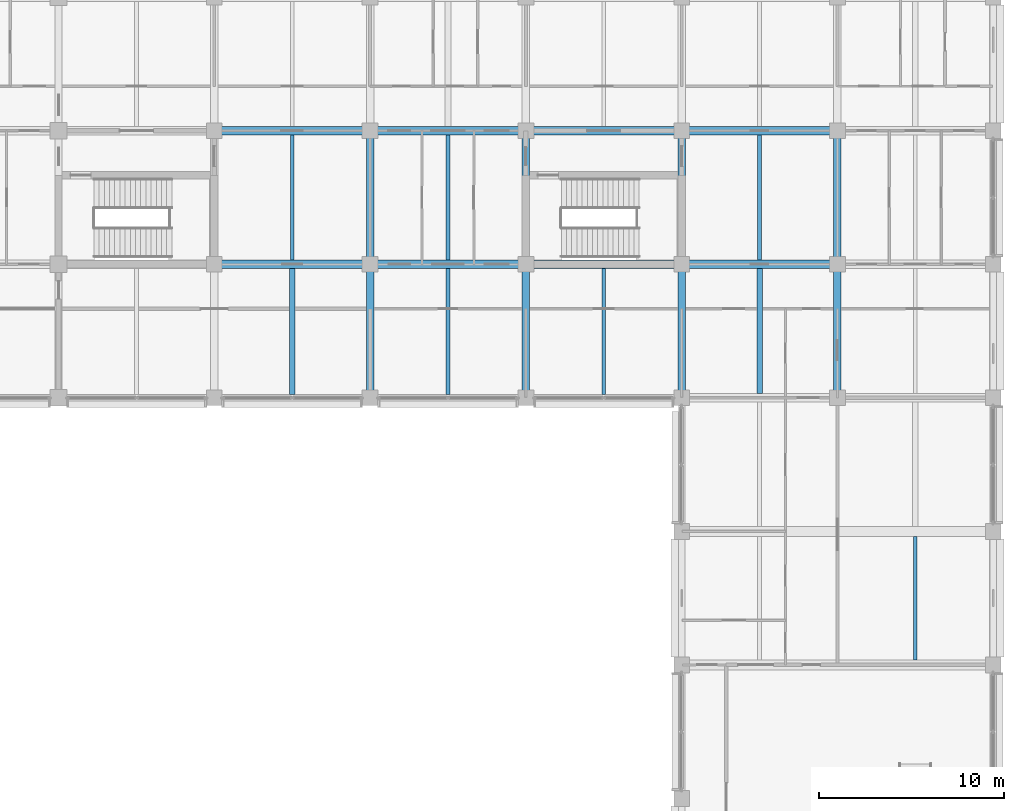
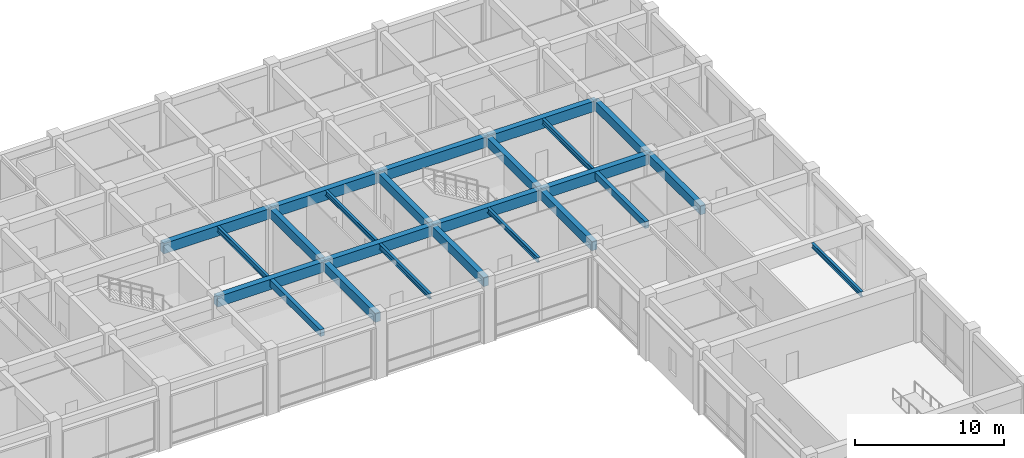
# One storey, part 14 of 51: 24 beams.
"""IFC4 building model written with IfcOpenShell, lengths in metres."""

import ifcopenshell
import ifcopenshell.guid

model = None  # the IFC model being written
_history = None  # IfcOwnerHistory: only IFC2X3 demands one
_inside = {}  # id of a spatial element -> (the spatial element, [elements in it])
_under = {}  # id of a project, library or spatial element -> (it, [spatial elements below it])
_declared = {}  # id of a project -> (the project, [libraries it declares])
_typed = {}  # id of a type object -> (the type object, [elements of that type])
_made_of = {}  # id of a material, layer set ... -> (it, [elements and type objects made of it])


def new_model(schema):
    """Start an empty IFC model of exactly this schema.

    Asked for "IFC4X3", IfcOpenShell would pick the latest addendum, in which some entities
    have other attributes; the version numbers below select the first issue.
    IFC2X3 requires an IfcOwnerHistory on every rooted entity: one is made here for all.
    """
    global model, _history
    if schema == "IFC4X3":
        model = ifcopenshell.file(schema_version=(4, 3, 0, 0))
    else:
        model = ifcopenshell.file(schema=schema)
    _inside.clear()
    _under.clear()
    _declared.clear()
    _typed.clear()
    _made_of.clear()
    _history = None
    if model.schema == "IFC2X3":
        org = make("IfcOrganization", Name="unknown")
        user = make(
            "IfcPersonAndOrganization",
            ThePerson=make("IfcPerson", FamilyName="unknown"),
            TheOrganization=org,
        )
        app = make(
            "IfcApplication",
            ApplicationDeveloper=org,
            Version="unknown",
            ApplicationFullName="unknown",
            ApplicationIdentifier="unknown",
        )
        _history = make(
            "IfcOwnerHistory",
            OwningUser=user,
            OwningApplication=app,
            ChangeAction="ADDED",
            CreationDate=0,
        )
    return model


def make(cls, **values):
    """One entity of the class cls with the attributes given. An attribute that is None is left unset."""
    return model.create_entity(
        cls, **{name: value for name, value in values.items() if value is not None}
    )


def rooted(cls, **values):
    """An entity with a GlobalId (a new one), such as an element, a storey or a relation."""
    return make(cls, GlobalId=ifcopenshell.guid.new(), OwnerHistory=_history, **values)


def si_unit(unit_type, name, prefix=None):
    """IfcSIUnit, for example si_unit("LENGTHUNIT", "METRE", prefix="MILLI")."""
    return make("IfcSIUnit", UnitType=unit_type, Prefix=prefix, Name=name)


def assignment(units):
    """IfcUnitAssignment: the units of a project."""
    return None if units is None else make("IfcUnitAssignment", Units=units)


def point(xyz):
    """IfcCartesianPoint."""
    return None if xyz is None else make("IfcCartesianPoint", Coordinates=xyz)


def direction(xyz):
    """IfcDirection."""
    return None if xyz is None else make("IfcDirection", DirectionRatios=xyz)


def frame(location, z_axis=None, x_axis=None):
    """IfcAxis2Placement3D, a coordinate frame: its origin and axes. An axis left out is left unset."""
    return make(
        "IfcAxis2Placement3D",
        Location=point(location),
        Axis=direction(z_axis),
        RefDirection=direction(x_axis),
    )


def frame_2d(location, x_axis=None):
    """IfcAxis2Placement2D, a coordinate frame in the plane: its origin and x axis."""
    return make(
        "IfcAxis2Placement2D", Location=point(location), RefDirection=direction(x_axis)
    )


def origin():
    """The frame at (0, 0, 0) with its axes left unset."""
    return frame((0.0, 0.0, 0.0))


def origin_2d():
    """The frame at (0, 0) in the plane with its x axis left unset."""
    return frame_2d((0.0, 0.0))


def place(relative_to, where):
    """IfcLocalPlacement: puts the frame where relative to a parent placement (None: the world)."""
    return make(
        "IfcLocalPlacement", PlacementRelTo=relative_to, RelativePlacement=where
    )


def context(
    kind, dimensions, precision=None, world=None, true_north=None, identifier=None
):
    """IfcGeometricRepresentationContext, for example the 3D "Model" context."""
    return make(
        "IfcGeometricRepresentationContext",
        ContextIdentifier=identifier,
        ContextType=kind,
        CoordinateSpaceDimension=dimensions,
        Precision=precision,
        WorldCoordinateSystem=world,
        TrueNorth=true_north,
    )


def subcontext(parent, identifier, kind, view, scale=None):
    """IfcGeometricRepresentationSubContext, for example "Body" below "Model"."""
    return make(
        "IfcGeometricRepresentationSubContext",
        ContextIdentifier=identifier,
        ContextType=kind,
        ParentContext=parent,
        TargetScale=scale,
        TargetView=view,
    )


def project(units=None, contexts=None):
    """IfcProject with its units and contexts."""
    return rooted(
        "IfcProject",
        Name="project",
        RepresentationContexts=contexts,
        UnitsInContext=assignment(units),
    )


def spatial(cls, under=None, at=None, **own):
    """A site, building, storey or space (cls), placed at a placement, below another one or the project."""
    s = rooted(cls, ObjectPlacement=at, **own)
    if under is not None:
        _under.setdefault(under.id(), (under, []))[1].append(s)
    return s


def profile(cls, at=None, kind="AREA", **sizes):
    """A parametric profile (cls). Its sizes go by their IFC names, for example OverallWidth=200.0."""
    return make(cls, ProfileType=kind, Position=at, **sizes)


def rectangle(**sizes):
    """IfcRectangleProfileDef."""
    return profile("IfcRectangleProfileDef", **sizes)


def i_section(**sizes):
    """IfcIShapeProfileDef."""
    return profile("IfcIShapeProfileDef", **sizes)


def extrude(swept, where, along, depth):
    """IfcExtrudedAreaSolid: the profile swept, set in the frame where, extruded along a direction by depth."""
    return make(
        "IfcExtrudedAreaSolid",
        SweptArea=swept,
        Position=where,
        ExtrudedDirection=direction(along),
        Depth=depth,
    )


def shape(context_of_items, identifier, shape_type, items):
    """IfcShapeRepresentation: the items that make up one representation, for example the "Body"."""
    return make(
        "IfcShapeRepresentation",
        ContextOfItems=context_of_items,
        RepresentationIdentifier=identifier,
        RepresentationType=shape_type,
        Items=items,
    )


def material(Name=None, Category=None):
    """IfcMaterial."""
    return make("IfcMaterial", Name=Name, Category=Category)


def material_profile(
    of_material, cross_section, Name=None, Category=None, Priority=None
):
    """IfcMaterialProfile: a cross section and its material."""
    return make(
        "IfcMaterialProfile",
        Name=Name,
        Material=of_material,
        Profile=cross_section,
        Priority=Priority,
        Category=Category,
    )


def profile_set(profiles, Name=None, composite=None):
    """IfcMaterialProfileSet."""
    return make(
        "IfcMaterialProfileSet",
        Name=Name,
        MaterialProfiles=profiles,
        CompositeProfile=composite,
    )


def made_of(thing, what):
    """Note that an element or type object is made of a material, layer set ...; save() writes the relation."""
    if what is not None:
        _made_of.setdefault(what.id(), (what, []))[1].append(thing)
    return thing


def type_object(cls, material=None, **own):
    """A type object (cls), such as IfcWallType, which elements share."""
    return made_of(rooted(cls, **own), material)


def element(
    cls,
    number,
    at=None,
    inside=None,
    cuts=None,
    type_object=None,
    material=None,
    context=None,
    identifier="Body",
    shape_type=None,
    held_by="IfcProductDefinitionShape",
    body=None,
    shapes=None,
    **own,
):
    """One element of the class cls, such as IfcWall. Its Tag is "e" and its number.

    at: its placement. inside: the storey or other place that contains it. cuts: it is an
    opening in that element (IfcRelVoidsElement). A single representation is given by context,
    identifier, shape_type and body (its items); several are given by shapes. held_by: the class
    of the entity that holds the representations. save() writes the other relations.
    """
    e = rooted(cls, Tag="e%d" % number, ObjectPlacement=at, **own)
    if body is not None:
        shapes = [shape(context, identifier, shape_type, body)]
    if shapes is not None:
        e.Representation = make(held_by, Representations=shapes)
    if inside is not None:
        _inside.setdefault(inside.id(), (inside, []))[1].append(e)
    if cuts is not None:
        rooted(
            "IfcRelVoidsElement", RelatingBuildingElement=cuts, RelatedOpeningElement=e
        )
    if type_object is not None:
        _typed.setdefault(type_object.id(), (type_object, []))[1].append(e)
    return made_of(e, material)


def aggregate(whole, parts):
    """IfcRelAggregates: a whole, such as a stair, and the parts it consists of."""
    return rooted("IfcRelAggregates", RelatingObject=whole, RelatedObjects=parts)


def save(model, path):
    """Write the relations noted so far, then the file.

    IfcRelAggregates (storeys below a building ...), IfcRelContainedInSpatialStructure (elements
    in a storey), IfcRelDefinesByType, IfcRelAssociatesMaterial and IfcRelDeclares: one each for
    every whole, place, type object, material and project.
    """
    for whole, parts in _under.values():
        aggregate(whole, parts)
    for where, things in _inside.values():
        rooted(
            "IfcRelContainedInSpatialStructure",
            RelatedElements=things,
            RelatingStructure=where,
        )
    for kind, things in _typed.values():
        rooted("IfcRelDefinesByType", RelatedObjects=things, RelatingType=kind)
    for what, things in _made_of.values():
        rooted("IfcRelAssociatesMaterial", RelatedObjects=things, RelatingMaterial=what)
    for by, libraries in _declared.values():
        rooted("IfcRelDeclares", RelatingContext=by, RelatedDefinitions=libraries)
    model.write(path)


model = new_model("IFC4")

# Units and contexts
model_context = context("Model", 3, precision=1e-05, world=origin(), true_north=direction((0.0, 1.0)))
body_context = subcontext(model_context, "Body", "Model", "MODEL_VIEW")
ifc_project = project(units=[si_unit("LENGTHUNIT", "METRE"), si_unit("AREAUNIT", "SQUARE_METRE"), si_unit("VOLUMEUNIT", "CUBIC_METRE"), si_unit("PLANEANGLEUNIT", "RADIAN"), si_unit("MASSUNIT", "GRAM", prefix="KILO")], contexts=[model_context])

# Site, building, storey
site_placement = place(None, origin())
site = spatial("IfcSite", under=ifc_project, at=site_placement, CompositionType="ELEMENT")
building_placement = place(site_placement, origin())
building = spatial("IfcBuilding", under=site, at=building_placement, Name="Chengyuan Square Courthouse", CompositionType="ELEMENT")
storey_placement = place(building_placement, frame((0.0, 0.0, 10.800048828125)))
storey = spatial("IfcBuildingStorey", under=building, at=storey_placement, Name="L03", CompositionType="ELEMENT", Elevation=10.800048828125)

# Beams
ifc_material_1 = material(Name="Concrete C40", Category="concrete")
ifc_material_profile_1 = material_profile(ifc_material_1, rectangle(XDim=0.449951171875, YDim=0.85009765625, at=origin_2d()), Name="RC-BM-450x850")
ifc_profile_set_1 = profile_set([ifc_material_profile_1], Name="Concrete C40")
beam_type_1 = type_object("IfcBeamType", Name="BM-01", PredefinedType="USERDEFINED", material=ifc_profile_set_1)
beam_1_placement = place(storey_placement, frame((126.0, 86.39990234375, 4.695068359375), z_axis=(1.0, 0.0, 0.0), x_axis=(0.0, 1.0, 0.0)))
element("IfcBeam", 1, at=beam_1_placement, inside=storey, type_object=beam_type_1, Name="Girder BM-L03-2559", ObjectType="GIRDER", PredefinedType="USERDEFINED", context=body_context, shape_type="SweptSolid", body=[
    extrude(rectangle(XDim=0.449951171875, YDim=0.85009765625, at=origin_2d()), origin(), (0.0, 0.0, 1.0), 8.39990234375),
])
beam_2_placement = place(storey_placement, frame((134.39990234375, 86.39990234375, 4.695068359375), z_axis=(1.0, 0.0, 0.0), x_axis=(0.0, 1.0, 0.0)))
element("IfcBeam", 2, at=beam_2_placement, inside=storey, type_object=beam_type_1, Name="Girder BM-L03-2560", ObjectType="GIRDER", PredefinedType="USERDEFINED", context=body_context, shape_type="SweptSolid", body=[
    extrude(rectangle(XDim=0.449951171875, YDim=0.85009765625, at=origin_2d()), origin(), (0.0, 0.0, 1.0), 8.400146484375),
])
beam_3_placement = place(storey_placement, frame((142.800048828125, 86.39990234375, 4.695068359375), z_axis=(1.0, 0.0, 0.0), x_axis=(0.0, 1.0, 0.0)))
element("IfcBeam", 3, at=beam_3_placement, inside=storey, type_object=beam_type_1, Name="Girder BM-L03-2561", ObjectType="GIRDER", PredefinedType="USERDEFINED", context=body_context, shape_type="SweptSolid", body=[
    extrude(rectangle(XDim=0.449951171875, YDim=0.85009765625, at=origin_2d()), origin(), (0.0, 0.0, 1.0), 8.39990234375),
])
beam_4_placement = place(storey_placement, frame((151.199951171875, 86.39990234375, 4.695068359375), z_axis=(1.0, 0.0, 0.0), x_axis=(0.0, 1.0, 0.0)))
element("IfcBeam", 4, at=beam_4_placement, inside=storey, type_object=beam_type_1, Name="Girder BM-L03-2562", ObjectType="GIRDER", PredefinedType="USERDEFINED", context=body_context, shape_type="SweptSolid", body=[
    extrude(rectangle(XDim=0.449951171875, YDim=0.85009765625, at=origin_2d()), origin(), (0.0, 0.0, 1.0), 8.400146484375),
])
beam_5_placement = place(storey_placement, frame((126.0, 93.60009765625, 4.695068359375), z_axis=(1.0, 0.0, 0.0), x_axis=(0.0, 1.0, 0.0)))
element("IfcBeam", 5, at=beam_5_placement, inside=storey, type_object=beam_type_1, Name="Girder BM-L03-2579", ObjectType="GIRDER", PredefinedType="USERDEFINED", context=body_context, shape_type="SweptSolid", body=[
    extrude(rectangle(XDim=0.449951171875, YDim=0.85009765625, at=origin_2d()), origin(), (0.0, 0.0, 1.0), 8.39990234375),
])
beam_6_placement = place(storey_placement, frame((134.39990234375, 93.60009765625, 4.695068359375), z_axis=(1.0, 0.0, 0.0), x_axis=(0.0, 1.0, 0.0)))
element("IfcBeam", 6, at=beam_6_placement, inside=storey, type_object=beam_type_1, Name="Girder BM-L03-2580", ObjectType="GIRDER", PredefinedType="USERDEFINED", context=body_context, shape_type="SweptSolid", body=[
    extrude(rectangle(XDim=0.449951171875, YDim=0.85009765625, at=origin_2d()), origin(), (0.0, 0.0, 1.0), 8.400146484375),
])
beam_7_placement = place(storey_placement, frame((142.800048828125, 93.60009765625, 4.695068359375), z_axis=(1.0, 0.0, 0.0), x_axis=(0.0, 1.0, 0.0)))
element("IfcBeam", 7, at=beam_7_placement, inside=storey, type_object=beam_type_1, Name="Girder BM-L03-2581", ObjectType="GIRDER", PredefinedType="USERDEFINED", context=body_context, shape_type="SweptSolid", body=[
    extrude(rectangle(XDim=0.449951171875, YDim=0.85009765625, at=origin_2d()), origin(), (0.0, 0.0, 1.0), 8.39990234375),
])
beam_8_placement = place(storey_placement, frame((151.199951171875, 93.60009765625, 4.695068359375), z_axis=(1.0, 0.0, 0.0), x_axis=(0.0, 1.0, 0.0)))
element("IfcBeam", 8, at=beam_8_placement, inside=storey, type_object=beam_type_1, Name="Girder BM-L03-2582", ObjectType="GIRDER", PredefinedType="USERDEFINED", context=body_context, shape_type="SweptSolid", body=[
    extrude(rectangle(XDim=0.449951171875, YDim=0.85009765625, at=origin_2d()), origin(), (0.0, 0.0, 1.0), 8.400146484375),
])
ifc_material_profile_2 = material_profile(ifc_material_1, rectangle(XDim=0.39990234375, YDim=0.75, at=origin_2d()), Name="RC-BM-400x750")
ifc_profile_set_2 = profile_set([ifc_material_profile_2], Name="Concrete C40")
beam_type_2 = type_object("IfcBeamType", Name="BM-02", PredefinedType="USERDEFINED", material=ifc_profile_set_2)
beam_9_placement = place(storey_placement, frame((134.39990234375, 79.199951171875, 4.744873046875), z_axis=(0.0, 1.0, 0.0), x_axis=(-1.0, 0.0, 0.0)))
element("IfcBeam", 9, at=beam_9_placement, inside=storey, type_object=beam_type_2, Name="Girder BM-L03-2721", ObjectType="GIRDER", PredefinedType="USERDEFINED", context=body_context, shape_type="SweptSolid", body=[
    extrude(rectangle(XDim=0.39990234375, YDim=0.75, at=origin_2d()), origin(), (0.0, 0.0, 1.0), 7.199951171875),
])
beam_10_placement = place(storey_placement, frame((134.39990234375, 86.39990234375, 4.744873046875), z_axis=(0.0, 1.0, 0.0), x_axis=(-1.0, 0.0, 0.0)))
element("IfcBeam", 10, at=beam_10_placement, inside=storey, type_object=beam_type_2, Name="Girder BM-L03-2722", ObjectType="GIRDER", PredefinedType="USERDEFINED", context=body_context, shape_type="SweptSolid", body=[
    extrude(rectangle(XDim=0.39990234375, YDim=0.75, at=origin_2d()), origin(), (0.0, 0.0, 1.0), 7.2001953125),
])
beam_11_placement = place(storey_placement, frame((142.800048828125, 79.199951171875, 4.744873046875), z_axis=(0.0, 1.0, 0.0), x_axis=(-1.0, 0.0, 0.0)))
element("IfcBeam", 11, at=beam_11_placement, inside=storey, type_object=beam_type_2, Name="Girder BM-L03-2725", ObjectType="GIRDER", PredefinedType="USERDEFINED", context=body_context, shape_type="SweptSolid", body=[
    extrude(rectangle(XDim=0.39990234375, YDim=0.75, at=origin_2d()), origin(), (0.0, 0.0, 1.0), 7.199951171875),
])
beam_12_placement = place(storey_placement, frame((142.800048828125, 86.39990234375, 4.744873046875), z_axis=(0.0, 1.0, 0.0), x_axis=(-1.0, 0.0, 0.0)))
element("IfcBeam", 12, at=beam_12_placement, inside=storey, type_object=beam_type_2, Name="Girder BM-L03-2726", ObjectType="GIRDER", PredefinedType="USERDEFINED", context=body_context, shape_type="SweptSolid", body=[
    extrude(rectangle(XDim=0.39990234375, YDim=0.75, at=origin_2d()), origin(), (0.0, 0.0, 1.0), 7.2001953125),
])
beam_13_placement = place(storey_placement, frame((151.199951171875, 79.199951171875, 4.744873046875), z_axis=(0.0, 1.0, 0.0), x_axis=(-1.0, 0.0, 0.0)))
element("IfcBeam", 13, at=beam_13_placement, inside=storey, type_object=beam_type_2, Name="Girder BM-L03-2735", ObjectType="GIRDER", PredefinedType="USERDEFINED", context=body_context, shape_type="SweptSolid", body=[
    extrude(rectangle(XDim=0.39990234375, YDim=0.75, at=origin_2d()), origin(), (0.0, 0.0, 1.0), 7.199951171875),
])
beam_14_placement = place(storey_placement, frame((151.199951171875, 86.39990234375, 4.744873046875), z_axis=(0.0, 1.0, 0.0), x_axis=(-1.0, 0.0, 0.0)))
element("IfcBeam", 14, at=beam_14_placement, inside=storey, type_object=beam_type_2, Name="Girder BM-L03-2736", ObjectType="GIRDER", PredefinedType="USERDEFINED", context=body_context, shape_type="SweptSolid", body=[
    extrude(rectangle(XDim=0.39990234375, YDim=0.75, at=origin_2d()), origin(), (0.0, 0.0, 1.0), 7.2001953125),
])
beam_15_placement = place(storey_placement, frame((159.60009765625, 79.199951171875, 4.744873046875), z_axis=(0.0, 1.0, 0.0), x_axis=(-1.0, 0.0, 0.0)))
element("IfcBeam", 15, at=beam_15_placement, inside=storey, type_object=beam_type_2, Name="Girder BM-L03-2739", ObjectType="GIRDER", PredefinedType="USERDEFINED", context=body_context, shape_type="SweptSolid", body=[
    extrude(rectangle(XDim=0.39990234375, YDim=0.75, at=origin_2d()), origin(), (0.0, 0.0, 1.0), 7.199951171875),
])
beam_16_placement = place(storey_placement, frame((159.60009765625, 86.39990234375, 4.744873046875), z_axis=(0.0, 1.0, 0.0), x_axis=(-1.0, 0.0, 0.0)))
element("IfcBeam", 16, at=beam_16_placement, inside=storey, type_object=beam_type_2, Name="Girder BM-L03-2740", ObjectType="GIRDER", PredefinedType="USERDEFINED", context=body_context, shape_type="SweptSolid", body=[
    extrude(rectangle(XDim=0.39990234375, YDim=0.75, at=origin_2d()), origin(), (0.0, 0.0, 1.0), 7.2001953125),
])
ifc_material_profile_3 = material_profile(ifc_material_1, rectangle(XDim=0.300048828125, YDim=0.550048828125, at=origin_2d()), Name="RC-BM-300x550")
ifc_profile_set_3 = profile_set([ifc_material_profile_3], Name="Concrete C40")
beam_type_3 = type_object("IfcBeamType", Name="BM-04", PredefinedType="BEAM", material=ifc_profile_set_3)
beam_17_placement = place(storey_placement, frame((130.199951171875, 79.375, 4.844970703125), z_axis=(0.0, 1.0, 0.0), x_axis=(-1.0, 0.0, 0.0)))
element("IfcBeam", 17, at=beam_17_placement, inside=storey, type_object=beam_type_3, Name="Secondary Floor Beam SBM-L03-2817", PredefinedType="BEAM", context=body_context, shape_type="SweptSolid", body=[
    extrude(rectangle(XDim=0.300048828125, YDim=0.550048828125, at=origin_2d()), origin(), (0.0, 0.0, 1.0), 6.800048828125),
])
beam_18_placement = place(storey_placement, frame((155.39990234375, 79.425048828125, 4.844970703125), z_axis=(0.0, 1.0, 0.0), x_axis=(-1.0, 0.0, 0.0)))
element("IfcBeam", 18, at=beam_18_placement, inside=storey, type_object=beam_type_3, Name="Secondary Floor Beam SBM-L03-2831", PredefinedType="BEAM", context=body_context, shape_type="SweptSolid", body=[
    extrude(rectangle(XDim=0.300048828125, YDim=0.550048828125, at=origin_2d()), origin(), (0.0, 0.0, 1.0), 6.75),
])
ifc_material_2 = material(Name="Steel Q355B", Category="steel")
ifc_material_profile_4 = material_profile(ifc_material_2, i_section(OverallWidth=0.199951171875, OverallDepth=0.449951171875, WebThickness=0.009033203125, FlangeThickness=0.013916015625, at=origin_2d()), Name="HN 450x200x9x14")
ifc_profile_set_4 = profile_set([ifc_material_profile_4], Name="Steel Q355B")
beam_type_4 = type_object("IfcBeamType", Name="BM-06", PredefinedType="BEAM", material=ifc_profile_set_4)
beam_19_placement = place(storey_placement, frame((130.199951171875, 86.625, 4.89501953125), z_axis=(0.0, 1.0, 0.0), x_axis=(-1.0, 0.0, 0.0)))
element("IfcBeam", 19, at=beam_19_placement, inside=storey, type_object=beam_type_4, Name="Secondary Floor Beam SBM-L03-2818", PredefinedType="BEAM", context=body_context, shape_type="SweptSolid", body=[
    extrude(i_section(OverallWidth=0.199951171875, OverallDepth=0.449951171875, WebThickness=0.009033203125, FlangeThickness=0.013916015625, at=origin_2d()), origin(), (0.0, 0.0, 1.0), 6.75),
])
beam_20_placement = place(storey_placement, frame((138.60009765625, 79.375, 4.89501953125), z_axis=(0.0, 1.0, 0.0), x_axis=(-1.0, 0.0, 0.0)))
element("IfcBeam", 20, at=beam_20_placement, inside=storey, type_object=beam_type_4, Name="Secondary Floor Beam SBM-L03-2821", PredefinedType="BEAM", context=body_context, shape_type="SweptSolid", body=[
    extrude(i_section(OverallWidth=0.199951171875, OverallDepth=0.449951171875, WebThickness=0.009033203125, FlangeThickness=0.013916015625, at=origin_2d()), origin(), (0.0, 0.0, 1.0), 6.800048828125),
])
beam_21_placement = place(storey_placement, frame((155.39990234375, 86.625, 4.89501953125), z_axis=(0.0, 1.0, 0.0), x_axis=(-1.0, 0.0, 0.0)))
element("IfcBeam", 21, at=beam_21_placement, inside=storey, type_object=beam_type_4, Name="Secondary Floor Beam SBM-L03-2832", PredefinedType="BEAM", context=body_context, shape_type="SweptSolid", body=[
    extrude(i_section(OverallWidth=0.199951171875, OverallDepth=0.449951171875, WebThickness=0.009033203125, FlangeThickness=0.013916015625, at=origin_2d()), origin(), (0.0, 0.0, 1.0), 6.75),
])
ifc_material_profile_5 = material_profile(ifc_material_2, i_section(OverallWidth=0.199951171875, OverallDepth=0.39990234375, WebThickness=0.008056640625, FlangeThickness=0.012939453125, at=origin_2d()), Name="HN 400x200x8x13")
ifc_profile_set_5 = profile_set([ifc_material_profile_5], Name="Steel Q355B")
beam_type_5 = type_object("IfcBeamType", Name="BM-07", PredefinedType="BEAM", material=ifc_profile_set_5)
beam_22_placement = place(storey_placement, frame((138.60009765625, 86.625, 4.919921875), z_axis=(0.0, 1.0, 0.0), x_axis=(-1.0, 0.0, 0.0)))
element("IfcBeam", 22, at=beam_22_placement, inside=storey, type_object=beam_type_5, Name="Secondary Floor Beam SBM-L03-2822", PredefinedType="BEAM", context=body_context, shape_type="SweptSolid", body=[
    extrude(i_section(OverallWidth=0.199951171875, OverallDepth=0.39990234375, WebThickness=0.008056640625, FlangeThickness=0.012939453125, at=origin_2d()), origin(), (0.0, 0.0, 1.0), 6.75),
])
beam_23_placement = place(storey_placement, frame((147.0, 79.375, 4.919921875), z_axis=(0.0, 1.0, 0.0), x_axis=(-1.0, 0.0, 0.0)))
element("IfcBeam", 23, at=beam_23_placement, inside=storey, type_object=beam_type_5, Name="Secondary Floor Beam SBM-L03-2825", PredefinedType="BEAM", context=body_context, shape_type="SweptSolid", body=[
    extrude(i_section(OverallWidth=0.199951171875, OverallDepth=0.39990234375, WebThickness=0.008056640625, FlangeThickness=0.012939453125, at=origin_2d()), origin(), (0.0, 0.0, 1.0), 6.800048828125),
])
beam_24_placement = place(storey_placement, frame((163.800048828125, 65.074951171875, 4.919921875), z_axis=(0.0, 1.0, 0.0), x_axis=(-1.0, 0.0, 0.0)))
element("IfcBeam", 24, at=beam_24_placement, inside=storey, type_object=beam_type_5, Name="Secondary Floor Beam SBM-L03-2837", PredefinedType="BEAM", context=body_context, shape_type="SweptSolid", body=[
    extrude(i_section(OverallWidth=0.199951171875, OverallDepth=0.39990234375, WebThickness=0.008056640625, FlangeThickness=0.012939453125, at=origin_2d()), origin(), (0.0, 0.0, 1.0), 6.650146484375),
])

save(model, "model.ifc")
